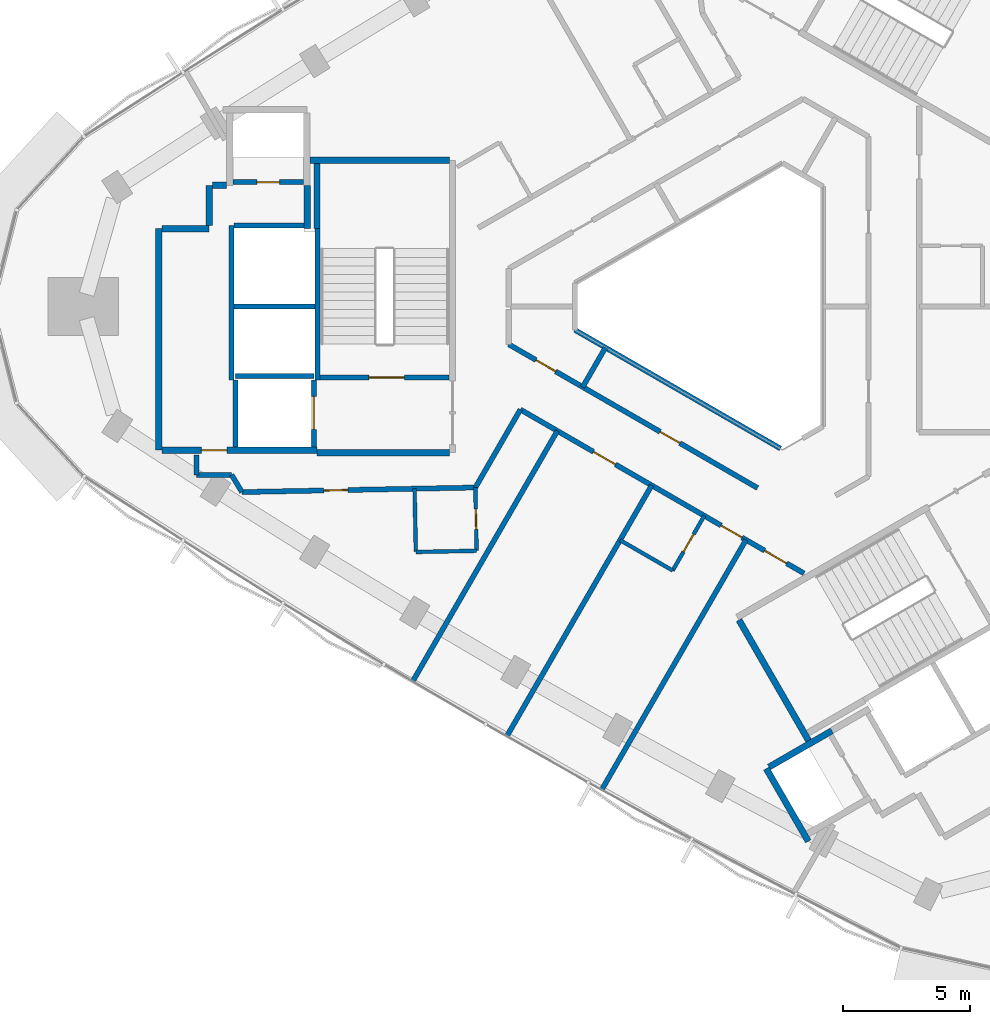
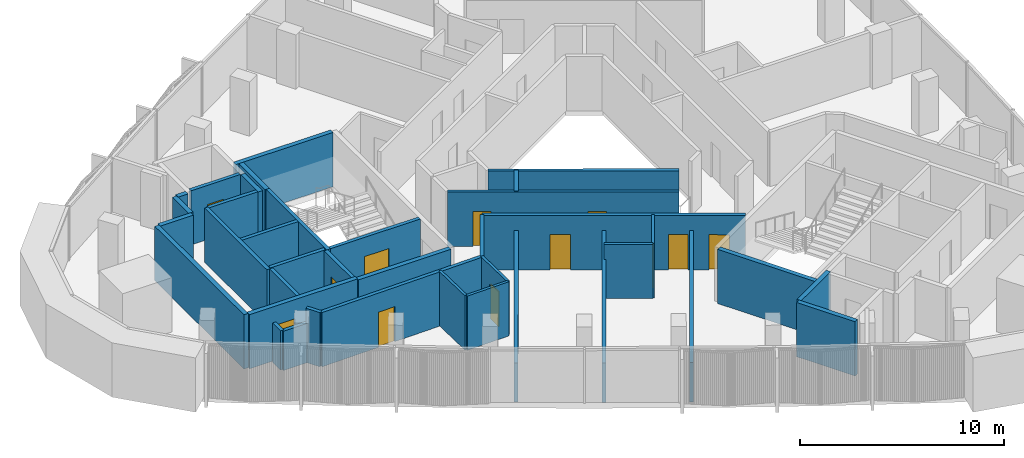
# One storey, part 8 of 16: 38 walls, 12 doors, 12 openings.
"""IFC4 building model written with IfcOpenShell, lengths in metres."""

from ifc_helpers import new_model, si_unit, direction, frame, frame_2d, origin, place, context, subcontext, project, spatial, rectangle, extrude, material, layer, layer_set, type_object, element, fill, save


model = new_model("IFC4")

# Units and contexts
model_context = context("Model", 3, precision=1e-05, world=origin(), true_north=direction((0.0, 1.0)))
body_context = subcontext(model_context, "Body", "Model", "MODEL_VIEW")
ifc_project = project(units=[si_unit("LENGTHUNIT", "METRE"), si_unit("AREAUNIT", "SQUARE_METRE"), si_unit("VOLUMEUNIT", "CUBIC_METRE"), si_unit("PLANEANGLEUNIT", "RADIAN"), si_unit("MASSUNIT", "GRAM", prefix="KILO")], contexts=[model_context])

# Site, building, storey
site_placement = place(None, origin())
site = spatial("IfcSite", under=ifc_project, at=site_placement, CompositionType="ELEMENT")
building_placement = place(site_placement, origin())
building = spatial("IfcBuilding", under=site, at=building_placement, Name="Tamra Quay Hotel Tower", CompositionType="ELEMENT")
storey_placement = place(building_placement, frame((0.0, 0.0, 239.39990234375)))
storey = spatial("IfcBuildingStorey", under=building, at=storey_placement, Name="L60", CompositionType="ELEMENT", Elevation=239.39990234375)

# Walls
ifc_material_1 = material(Name="Concrete M70", Category="concrete")
ifc_layer_1 = layer(ifc_material_1, 0.199951171875)
ifc_layer_set_1 = layer_set([ifc_layer_1], Name="Concrete M70 core wall 200")
wall_type_1 = type_object("IfcWallType", Name="Concrete M70 core wall 200", PredefinedType="SHEAR", material=ifc_layer_set_1)
wall_1_placement = place(storey_placement, frame((-16.162109375, 3.073974609375, 0.0), z_axis=(0.0, 0.0, 1.0), x_axis=(0.0, -1.0, 0.0)))
element("IfcWall", 1, at=wall_1_placement, inside=storey, type_object=wall_type_1, Name="CW2", PredefinedType="SHEAR", context=body_context, shape_type="SweptSolid", body=[
    extrude(rectangle(XDim=5.97412109375, YDim=0.199951171875, at=frame_2d((2.987060546875, 0.0))), origin(), (0.0, 0.0, 1.0), 3.25),
])
wall_2_placement = place(storey_placement, frame((-19.5625, -2.900146484375, 0.0), z_axis=(0.0, 0.0, 1.0), x_axis=(0.0, 1.0, 0.0)))
element("IfcWall", 2, at=wall_2_placement, inside=storey, type_object=wall_type_1, Name="CW2", PredefinedType="SHEAR", context=body_context, shape_type="SweptSolid", body=[
    extrude(rectangle(XDim=6.100341796875, YDim=0.199951171875, at=frame_2d((3.05029296875, 0.0))), origin(), (0.0, 0.0, 1.0), 3.25),
])

# Wall, opening, door
wall_3_placement = place(storey_placement, frame((-10.96337890625, -2.800048828125, 0.0), z_axis=(0.0, 0.0, 1.0), x_axis=(-1.0, 0.0, 0.0)))
wall_3 = element("IfcWall", 3, at=wall_3_placement, inside=storey, type_object=wall_type_1, Name="CW2", PredefinedType="SHEAR", context=body_context, shape_type="SweptSolid", body=[
    extrude(rectangle(XDim=5.097900390625, YDim=0.199951171875, at=frame_2d((2.548828125, 0.0))), origin(), (0.0, 0.0, 1.0), 3.25),
])
opening_1_placement = place(wall_3_placement, frame((1.77392578125, 0.0, 0.0)))
opening_1 = element("IfcOpeningElement", 4, at=opening_1_placement, cuts=wall_3, Name="Opening FD2", PredefinedType="OPENING", context=body_context, shape_type="SweptSolid", body=[
    extrude(rectangle(XDim=1.39990234375, YDim=2.10009765625, at=frame_2d((0.699951171875, 1.050048828125))), frame((0.0, 0.10986328125, 0.0), z_axis=(0.0, -1.0, 0.0), x_axis=(1.0, 0.0, 0.0)), (0.0, 0.0, 1.0), 0.219970703125),
])
ifc_material_2 = material(Name="Core door FD2 1400x2100 LH")
door_type_1 = type_object("IfcDoorType", Name="Core door FD2 1400x2100 LH", OperationType="NOTDEFINED", PredefinedType="DOOR", material=ifc_material_2)
door_1_placement = place(opening_1_placement, origin())
door_1 = element("IfcDoor", 5, at=door_1_placement, inside=storey, type_object=door_type_1, Name="FD2", OperationType="SINGLE_SWING_LEFT", OverallHeight=2.10009765625, OverallWidth=1.39990234375, PredefinedType="DOOR", context=body_context, shape_type="SweptSolid", body=[
    extrude(rectangle(XDim=1.39990234375, YDim=2.10009765625, at=frame_2d((0.699951171875, 1.050048828125))), frame((0.0, 0.02490234375, 0.0), z_axis=(0.0, -1.0, 0.0), x_axis=(1.0, 0.0, 0.0)), (0.0, 0.0, 1.0), 0.050048828125),
])
fill(opening_1, door_1)

# Wall
wall_4_placement = place(storey_placement, frame((-16.26318359375, 0.0, 0.0), z_axis=(0.0, 0.0, 1.0), x_axis=(-1.0, 0.0, 0.0)))
element("IfcWall", 6, at=wall_4_placement, inside=storey, type_object=wall_type_1, Name="CW2", PredefinedType="SHEAR", context=body_context, shape_type="SweptSolid", body=[
    extrude(rectangle(XDim=3.1982421875, YDim=0.199951171875, at=frame_2d((1.59912109375, 0.0))), origin(), (0.0, 0.0, 1.0), 3.25),
])

# Wall, opening, door
wall_5_placement = place(storey_placement, frame((-19.51123046875, 4.91015625, 0.0), z_axis=(0.0, 0.0, 1.0), x_axis=(1.0, 0.0, 0.0)))
wall_5 = element("IfcWall", 7, at=wall_5_placement, inside=storey, type_object=wall_type_1, Name="CW2", PredefinedType="SHEAR", context=body_context, shape_type="SweptSolid", body=[
    extrude(rectangle(XDim=2.7978515625, YDim=0.199951171875, at=frame_2d((1.39892578125, 0.0))), origin(), (0.0, 0.0, 1.0), 3.25),
])
opening_2_placement = place(wall_5_placement, frame((0.948974609375, 0.0, 0.0)))
opening_2 = element("IfcOpeningElement", 8, at=opening_2_placement, cuts=wall_5, Name="Opening D1", PredefinedType="OPENING", context=body_context, shape_type="SweptSolid", body=[
    extrude(rectangle(XDim=0.89990234375, YDim=2.10009765625, at=frame_2d((0.449951171875, 1.050048828125))), frame((0.0, 0.10986328125, 0.0), z_axis=(0.0, -1.0, 0.0), x_axis=(1.0, 0.0, 0.0)), (0.0, 0.0, 1.0), 0.219970703125),
])
ifc_material_3 = material(Name="Core door D1 900x2100 RH")
door_type_2 = type_object("IfcDoorType", Name="Core door D1 900x2100 RH", OperationType="NOTDEFINED", PredefinedType="DOOR", material=ifc_material_3)
door_2_placement = place(opening_2_placement, origin())
door_2 = element("IfcDoor", 9, at=door_2_placement, inside=storey, type_object=door_type_2, Name="D1", OperationType="SINGLE_SWING_RIGHT", OverallHeight=2.10009765625, OverallWidth=0.89990234375, PredefinedType="DOOR", context=body_context, shape_type="SweptSolid", body=[
    extrude(rectangle(XDim=0.89990234375, YDim=2.10009765625, at=frame_2d((0.449951171875, 1.050048828125))), frame((0.0, 0.02490234375, 0.0), z_axis=(0.0, -1.0, 0.0), x_axis=(1.0, 0.0, 0.0)), (0.0, 0.0, 1.0), 0.050048828125),
])
fill(opening_2, door_2)

# Walls
wall_6_placement = place(storey_placement, frame((-19.46240234375, 3.2001953125, 0.0), z_axis=(0.0, 0.0, 1.0), x_axis=(1.0, 0.0, 0.0)))
element("IfcWall", 10, at=wall_6_placement, inside=storey, type_object=wall_type_1, Name="CW2", PredefinedType="SHEAR", context=body_context, shape_type="SweptSolid", body=[
    extrude(rectangle(XDim=2.759033203125, YDim=0.199951171875, at=frame_2d((1.37939453125, 0.0))), origin(), (0.0, 0.0, 1.0), 3.25),
])
wall_7_placement = place(storey_placement, frame((-19.412353515625, -2.75, 0.0), z_axis=(0.0, 0.0, 1.0), x_axis=(1.0, 0.0, 0.0)))
element("IfcWall", 11, at=wall_7_placement, inside=storey, type_object=wall_type_1, Name="CW2", PredefinedType="SHEAR", context=body_context, shape_type="SweptSolid", body=[
    extrude(rectangle(XDim=3.10009765625, YDim=0.199951171875, at=frame_2d((1.550048828125, 0.0))), origin(), (0.0, 0.0, 1.0), 3.25),
])

# Wall, opening, door
wall_8_placement = place(storey_placement, frame((-16.312255859375, -2.898193359375, 0.0), z_axis=(0.0, 0.0, 1.0), x_axis=(0.0, -1.0, 0.0)))
wall_8 = element("IfcWall", 12, at=wall_8_placement, inside=storey, type_object=wall_type_1, Name="CW2", PredefinedType="SHEAR", context=body_context, shape_type="SweptSolid", body=[
    extrude(rectangle(XDim=2.65087890625, YDim=0.199951171875, at=frame_2d((1.325439453125, 0.0))), origin(), (0.0, 0.0, 1.0), 3.25),
])
opening_3_placement = place(wall_8_placement, frame((0.65185546875, 0.0, 0.0)))
opening_3 = element("IfcOpeningElement", 13, at=opening_3_placement, cuts=wall_8, Name="Opening LD", PredefinedType="OPENING", context=body_context, shape_type="SweptSolid", body=[
    extrude(rectangle(XDim=1.300048828125, YDim=2.10009765625, at=frame_2d((0.64990234375, 1.050048828125))), frame((0.0, 0.10986328125, 0.0), z_axis=(0.0, -1.0, 0.0), x_axis=(1.0, 0.0, 0.0)), (0.0, 0.0, 1.0), 0.219970703125),
])
ifc_material_4 = material(Name="Landing door LD 1300 sliding to left")
door_type_3 = type_object("IfcDoorType", Name="Landing door LD 1300 sliding to left", OperationType="NOTDEFINED", PredefinedType="DOOR", material=ifc_material_4)
door_3_placement = place(opening_3_placement, origin())
door_3 = element("IfcDoor", 14, at=door_3_placement, inside=storey, type_object=door_type_3, Name="LD", OperationType="SLIDING_TO_LEFT", OverallHeight=2.10009765625, OverallWidth=1.300048828125, PredefinedType="DOOR", context=body_context, shape_type="SweptSolid", body=[
    extrude(rectangle(XDim=1.300048828125, YDim=2.10009765625, at=frame_2d((0.64990234375, 1.050048828125))), frame((0.0, 0.02490234375, 0.0), z_axis=(0.0, -1.0, 0.0), x_axis=(1.0, 0.0, 0.0)), (0.0, 0.0, 1.0), 0.050048828125),
])
fill(opening_3, door_3)

# Walls
wall_9_placement = place(storey_placement, frame((-19.412353515625, -5.549072265625, 0.0), z_axis=(0.0, 0.0, 1.0), x_axis=(0.0, 1.0, 0.0)))
element("IfcWall", 15, at=wall_9_placement, inside=storey, type_object=wall_type_1, Name="CW2", PredefinedType="SHEAR", context=body_context, shape_type="SweptSolid", body=[
    extrude(rectangle(XDim=2.65087890625, YDim=0.199951171875, at=frame_2d((1.325439453125, 0.0))), origin(), (0.0, 0.0, 1.0), 3.25),
])
ifc_layer_2 = layer(ifc_material_1, 0.25)
ifc_layer_set_2 = layer_set([ifc_layer_2], Name="Concrete M70 core wall 250")
wall_type_2 = type_object("IfcWallType", Name="Concrete M70 core wall 250", PredefinedType="SHEAR", material=ifc_layer_set_2)
wall_10_placement = place(storey_placement, frame((-22.437255859375, -5.675048828125, 0.0), z_axis=(0.0, 0.0, 1.0), x_axis=(0.0, 1.0, 0.0)))
element("IfcWall", 16, at=wall_10_placement, inside=storey, type_object=wall_type_2, Name="CW1", PredefinedType="SHEAR", context=body_context, shape_type="SweptSolid", body=[
    extrude(rectangle(XDim=8.75, YDim=0.25, at=frame_2d((4.375, 0.0))), origin(), (0.0, 0.0, 1.0), 3.25),
])

# Wall, opening, door
wall_11_placement = place(storey_placement, frame((-16.187255859375, -5.675048828125, 0.0), z_axis=(0.0, 0.0, 1.0), x_axis=(-1.0, 0.0, 0.0)))
wall_11 = element("IfcWall", 17, at=wall_11_placement, inside=storey, type_object=wall_type_2, Name="CW1", PredefinedType="SHEAR", context=body_context, shape_type="SweptSolid", body=[
    extrude(rectangle(XDim=6.12451171875, YDim=0.25, at=frame_2d((3.062255859375, 0.0))), origin(), (0.0, 0.0, 1.0), 3.25),
])
opening_4_placement = place(wall_11_placement, frame((3.562744140625, 0.0, 0.0)))
opening_4 = element("IfcOpeningElement", 18, at=opening_4_placement, cuts=wall_11, Name="Opening FD3", PredefinedType="OPENING", context=body_context, shape_type="SweptSolid", body=[
    extrude(rectangle(XDim=1.0, YDim=2.10009765625, at=frame_2d((0.5, 1.050048828125))), frame((0.0, 0.135009765625, 0.0), z_axis=(0.0, -1.0, 0.0), x_axis=(1.0, 0.0, 0.0)), (0.0, 0.0, 1.0), 0.27001953125),
])
ifc_material_5 = material(Name="Core door FD3 1000x2100 LH")
door_type_4 = type_object("IfcDoorType", Name="Core door FD3 1000x2100 LH", OperationType="NOTDEFINED", PredefinedType="DOOR", material=ifc_material_5)
door_4_placement = place(opening_4_placement, origin())
door_4 = element("IfcDoor", 19, at=door_4_placement, inside=storey, type_object=door_type_4, Name="FD3", OperationType="SINGLE_SWING_LEFT", OverallHeight=2.10009765625, OverallWidth=1.0, PredefinedType="DOOR", context=body_context, shape_type="SweptSolid", body=[
    extrude(rectangle(XDim=1.0, YDim=2.10009765625, at=frame_2d((0.5, 1.050048828125))), frame((0.0, 0.02490234375, 0.0), z_axis=(0.0, -1.0, 0.0), x_axis=(1.0, 0.0, 0.0)), (0.0, 0.0, 1.0), 0.050048828125),
])
fill(opening_4, door_4)

# Walls
wall_12_placement = place(storey_placement, frame((-10.962646484375, -5.77490234375, 0.0), z_axis=(0.0, 0.0, 1.0), x_axis=(-1.0, 0.0, 0.0)))
element("IfcWall", 20, at=wall_12_placement, inside=storey, type_object=wall_type_2, Name="CW1", PredefinedType="SHEAR", context=body_context, shape_type="SweptSolid", body=[
    extrude(rectangle(XDim=5.224609375, YDim=0.25, at=frame_2d((2.6123046875, 0.0))), origin(), (0.0, 0.0, 1.0), 3.25),
])
wall_13_placement = place(storey_placement, frame((-16.47216796875, 5.77490234375, 0.0), z_axis=(0.0, 0.0, 1.0), x_axis=(1.0, 0.0, 0.0)))
element("IfcWall", 21, at=wall_13_placement, inside=storey, type_object=wall_type_2, Name="CW1", PredefinedType="SHEAR", context=body_context, shape_type="SweptSolid", body=[
    extrude(rectangle(XDim=5.509521484375, YDim=0.25, at=frame_2d((2.7548828125, 0.0))), origin(), (0.0, 0.0, 1.0), 3.25),
])
wall_14_placement = place(storey_placement, frame((-16.187255859375, 3.074951171875, 0.0), z_axis=(0.0, 0.0, 1.0), x_axis=(0.0, 1.0, 0.0)))
element("IfcWall", 22, at=wall_14_placement, inside=storey, type_object=wall_type_2, Name="CW1", PredefinedType="SHEAR", context=body_context, shape_type="SweptSolid", body=[
    extrude(rectangle(XDim=2.57470703125, YDim=0.25, at=frame_2d((1.287353515625, 0.0))), origin(), (0.0, 0.0, 1.0), 3.25),
])
wall_15_placement = place(storey_placement, frame((-22.311767578125, 3.074951171875, 0.0), z_axis=(0.0, 0.0, 1.0), x_axis=(1.0, 0.0, 0.0)))
element("IfcWall", 23, at=wall_15_placement, inside=storey, type_object=wall_type_2, Name="CW1", PredefinedType="SHEAR", context=body_context, shape_type="SweptSolid", body=[
    extrude(rectangle(XDim=1.864501953125, YDim=0.25, at=frame_2d((0.93212890625, 0.0))), origin(), (0.0, 0.0, 1.0), 3.25),
])
wall_16_placement = place(storey_placement, frame((-16.577392578125, 4.784912109375, 0.0), z_axis=(0.0, 0.0, 1.0), x_axis=(0.0, -1.0, 0.0)))
element("IfcWall", 24, at=wall_16_placement, inside=storey, type_object=wall_type_2, Name="CW1", PredefinedType="SHEAR", context=body_context, shape_type="SweptSolid", body=[
    extrude(rectangle(XDim=1.7099609375, YDim=0.25, at=frame_2d((0.85498046875, 0.0))), origin(), (0.0, 0.0, 1.0), 3.25),
])
wall_17_placement = place(storey_placement, frame((-20.447265625, 3.200439453125, 0.0), z_axis=(0.0, 0.0, 1.0), x_axis=(0.0, 1.0, 0.0)))
element("IfcWall", 25, at=wall_17_placement, inside=storey, type_object=wall_type_2, Name="CW1", PredefinedType="SHEAR", context=body_context, shape_type="SweptSolid", body=[
    extrude(rectangle(XDim=1.58447265625, YDim=0.25, at=frame_2d((0.792236328125, 0.0))), origin(), (0.0, 0.0, 1.0), 3.25),
])
wall_18_placement = place(storey_placement, frame((-20.32177734375, 4.784912109375, 0.0), z_axis=(0.0, 0.0, 1.0), x_axis=(1.0, 0.0, 0.0)))
element("IfcWall", 26, at=wall_18_placement, inside=storey, type_object=wall_type_2, Name="CW1", PredefinedType="SHEAR", context=body_context, shape_type="SweptSolid", body=[
    extrude(rectangle(XDim=0.55908203125, YDim=0.25, at=frame_2d((0.279541015625, 0.0))), origin(), (0.0, 0.0, 1.0), 3.25),
])
wall_19_placement = place(storey_placement, frame((3.23486328125, -17.15283203125, 0.0), z_axis=(0.0, 0.0, 1.0), x_axis=(-0.500008851346, 0.866020293397, 0.0)))
element("IfcWall", 27, at=wall_19_placement, inside=storey, type_object=wall_type_2, Name="CW1", PredefinedType="SHEAR", context=body_context, shape_type="SweptSolid", body=[
    extrude(rectangle(XDim=5.509765625, YDim=0.25, at=frame_2d((2.7548828125, 0.0))), origin(), (0.0, 0.0, 1.0), 3.25),
])
wall_20_placement = place(storey_placement, frame((3.216796875, -21.12158203125, 0.0), z_axis=(0.0, 0.0, 1.0), x_axis=(-0.499998874531, 0.866026053573, 0.0)))
element("IfcWall", 28, at=wall_20_placement, inside=storey, type_object=wall_type_2, Name="CW1", PredefinedType="SHEAR", context=body_context, shape_type="SweptSolid", body=[
    extrude(rectangle(XDim=3.31298828125, YDim=0.25, at=frame_2d((1.656494140625, 0.0))), origin(), (0.0, 0.0, 1.0), 3.25),
])
wall_21_placement = place(storey_placement, frame((1.6689453125, -18.189697265625, 0.0), z_axis=(0.0, 0.0, 1.0), x_axis=(0.866042235819, 0.499970844928, 0.0)))
element("IfcWall", 29, at=wall_21_placement, inside=storey, type_object=wall_type_2, Name="CW1", PredefinedType="SHEAR", context=body_context, shape_type="SweptSolid", body=[
    extrude(rectangle(XDim=2.864501953125, YDim=0.25, at=frame_2d((1.43212890625, 0.0))), origin(), (0.0, 0.0, 1.0), 3.25),
])
ifc_material_6 = material(Name="Partition corridor wall")
ifc_layer_3 = layer(ifc_material_6, 0.199951171875)
ifc_layer_set_3 = layer_set([ifc_layer_3], Name="Partition corridor wall")
wall_type_3 = type_object("IfcWallType", Name="Partition corridor wall", PredefinedType="PARTITIONING", material=ifc_layer_set_3)
wall_22_placement = place(storey_placement, frame((-20.949951171875, -6.64990234375, 0.0), z_axis=(0.0, 0.0, 1.0), x_axis=(0.0, 1.0, 0.0)))
element("IfcWall", 30, at=wall_22_placement, inside=storey, type_object=wall_type_3, Name="W-C", PredefinedType="PARTITIONING", context=body_context, shape_type="SweptSolid", body=[
    extrude(rectangle(XDim=0.789794921875, YDim=0.199951171875, at=frame_2d((0.39501953125, 0.0))), origin(), (0.0, 0.0, 1.0), 2.35009765625),
])
wall_23_placement = place(storey_placement, frame((-20.949951171875, -6.64990234375, 0.0), z_axis=(0.0, 0.0, 1.0), x_axis=(1.0, 0.0, 0.0)))
element("IfcWall", 31, at=wall_23_placement, inside=storey, type_object=wall_type_3, Name="W-C", PredefinedType="PARTITIONING", context=body_context, shape_type="SweptSolid", body=[
    extrude(rectangle(XDim=1.389892578125, YDim=0.199951171875, at=frame_2d((0.69482421875, 0.0))), origin(), (0.0, 0.0, 1.0), 2.35009765625),
])
wall_24_placement = place(storey_placement, frame((-19.56005859375, -6.64990234375, 0.0), z_axis=(0.0, 0.0, 1.0), x_axis=(0.517618709346, -0.855611402294, 0.0)))
element("IfcWall", 32, at=wall_24_placement, inside=storey, type_object=wall_type_3, Name="W-C", PredefinedType="PARTITIONING", context=body_context, shape_type="SweptSolid", body=[
    extrude(rectangle(XDim=0.79248046875, YDim=0.199951171875, at=frame_2d((0.396240234375, 0.0))), origin(), (0.0, 0.0, 1.0), 3.25),
])

# Wall, opening, door
wall_25_placement = place(storey_placement, frame((-19.14892578125, -7.3291015625, 0.0), z_axis=(0.0, 0.0, 1.0), x_axis=(0.999810023919, 0.019491435849, 0.0)))
wall_25 = element("IfcWall", 33, at=wall_25_placement, inside=storey, type_object=wall_type_3, Name="W-C", PredefinedType="PARTITIONING", context=body_context, shape_type="SweptSolid", body=[
    extrude(rectangle(XDim=9.21875, YDim=0.199951171875, at=frame_2d((4.609375, 0.0))), origin(), (0.0, 0.0, 1.0), 3.25),
])
opening_5_placement = place(wall_25_placement, frame((3.230224609375, 0.0, 0.0)))
opening_5 = element("IfcOpeningElement", 34, at=opening_5_placement, cuts=wall_25, Name="Opening L60-D007", PredefinedType="OPENING", context=body_context, shape_type="SweptSolid", body=[
    extrude(rectangle(XDim=0.949951171875, YDim=2.10009765625, at=frame_2d((0.47509765625, 1.050048828125))), frame((0.0, 0.10986328125, 0.0), z_axis=(0.0, -1.0, 0.0), x_axis=(1.0, 0.0, 0.0)), (0.0, 0.0, 1.0), 0.219970703125),
])
ifc_material_7 = material(Name="Door guest room 950x2100")
door_type_5 = type_object("IfcDoorType", Name="Door guest room 950x2100", OperationType="NOTDEFINED", PredefinedType="DOOR", material=ifc_material_7)
door_5_placement = place(opening_5_placement, origin())
door_5 = element("IfcDoor", 35, at=door_5_placement, inside=storey, type_object=door_type_5, Name="L60-D007", OperationType="SINGLE_SWING_LEFT", OverallHeight=2.10009765625, OverallWidth=0.949951171875, PredefinedType="DOOR", context=body_context, shape_type="SweptSolid", body=[
    extrude(rectangle(XDim=0.949951171875, YDim=2.10009765625, at=frame_2d((0.47509765625, 1.050048828125))), frame((0.0, 0.02490234375, 0.0), z_axis=(0.0, -1.0, 0.0), x_axis=(1.0, 0.0, 0.0)), (0.0, 0.0, 1.0), 0.050048828125),
])
fill(opening_5, door_5)

# Wall
wall_26_placement = place(storey_placement, frame((-9.930908203125, -7.14892578125, 0.0), z_axis=(0.0, 0.0, 1.0), x_axis=(0.499934418432, 0.86606326401, 0.0)))
element("IfcWall", 36, at=wall_26_placement, inside=storey, type_object=wall_type_3, Name="W-C", PredefinedType="PARTITIONING", context=body_context, shape_type="SweptSolid", body=[
    extrude(rectangle(XDim=3.55615234375, YDim=0.199951171875, at=frame_2d((1.778076171875, 0.0))), origin(), (0.0, 0.0, 1.0), 3.25),
])

# Wall, openings, doors
wall_27_placement = place(storey_placement, frame((-8.612060546875, -1.493896484375, 0.0), z_axis=(0.0, 0.0, 1.0), x_axis=(0.866035468681, -0.499982566683, 0.0)))
wall_27 = element("IfcWall", 37, at=wall_27_placement, inside=storey, type_object=wall_type_3, Name="W-C", PredefinedType="PARTITIONING", context=body_context, shape_type="SweptSolid", body=[
    extrude(rectangle(XDim=11.34765625, YDim=0.199951171875, at=frame_2d((5.673828125, 0.0))), origin(), (0.0, 0.0, 1.0), 3.25),
])
opening_6_placement = place(wall_27_placement, frame((1.240966796875, 0.0, 0.0)))
opening_6 = element("IfcOpeningElement", 38, at=opening_6_placement, cuts=wall_27, Name="Opening L60-D021", PredefinedType="OPENING", context=body_context, shape_type="SweptSolid", body=[
    extrude(rectangle(XDim=0.89990234375, YDim=2.10009765625, at=frame_2d((0.449951171875, 1.050048828125))), frame((0.0, 0.10986328125, 0.0), z_axis=(0.0, -1.0, 0.0), x_axis=(1.0, 0.0, 0.0)), (0.0, 0.0, 1.0), 0.219970703125),
])
opening_7_placement = place(wall_27_placement, frame((6.903076171875, 0.0, 0.0)))
opening_7 = element("IfcOpeningElement", 39, at=opening_7_placement, cuts=wall_27, Name="Opening L60-D022", PredefinedType="OPENING", context=body_context, shape_type="SweptSolid", body=[
    extrude(rectangle(XDim=0.89990234375, YDim=2.10009765625, at=frame_2d((0.449951171875, 1.050048828125))), frame((0.0, 0.10986328125, 0.0), z_axis=(0.0, -1.0, 0.0), x_axis=(1.0, 0.0, 0.0)), (0.0, 0.0, 1.0), 0.219970703125),
])
ifc_material_8 = material(Name="Door service room 900x2100")
door_type_6 = type_object("IfcDoorType", Name="Door service room 900x2100", OperationType="NOTDEFINED", PredefinedType="DOOR", material=ifc_material_8)
door_6_placement = place(opening_6_placement, origin())
door_6 = element("IfcDoor", 40, at=door_6_placement, inside=storey, type_object=door_type_6, Name="L60-D021", OperationType="SINGLE_SWING_LEFT", OverallHeight=2.10009765625, OverallWidth=0.89990234375, PredefinedType="DOOR", context=body_context, shape_type="SweptSolid", body=[
    extrude(rectangle(XDim=0.89990234375, YDim=2.10009765625, at=frame_2d((0.449951171875, 1.050048828125))), frame((0.0, 0.02490234375, 0.0), z_axis=(0.0, -1.0, 0.0), x_axis=(1.0, 0.0, 0.0)), (0.0, 0.0, 1.0), 0.050048828125),
])
fill(opening_6, door_6)
door_7_placement = place(opening_7_placement, origin())
door_7 = element("IfcDoor", 41, at=door_7_placement, inside=storey, type_object=door_type_6, Name="L60-D022", OperationType="SINGLE_SWING_LEFT", OverallHeight=2.10009765625, OverallWidth=0.89990234375, PredefinedType="DOOR", context=body_context, shape_type="SweptSolid", body=[
    extrude(rectangle(XDim=0.89990234375, YDim=2.10009765625, at=frame_2d((0.449951171875, 1.050048828125))), frame((0.0, 0.02490234375, 0.0), z_axis=(0.0, -1.0, 0.0), x_axis=(1.0, 0.0, 0.0)), (0.0, 0.0, 1.0), 0.050048828125),
])
fill(opening_7, door_7)

wall_28_placement = place(storey_placement, frame((-8.153076171875, -4.069091796875, 0.0), z_axis=(0.0, 0.0, 1.0), x_axis=(0.865955522833, -0.500121017829, 0.0)))
wall_28 = element("IfcWall", 42, at=wall_28_placement, inside=storey, type_object=wall_type_3, Name="W-C", PredefinedType="PARTITIONING", context=body_context, shape_type="SweptSolid", body=[
    extrude(rectangle(XDim=12.937255859375, YDim=0.199951171875, at=frame_2d((6.46875, 0.0))), origin(), (0.0, 0.0, 1.0), 3.25),
])
opening_8_placement = place(wall_28_placement, frame((3.337158203125, 0.0, 0.0)))
opening_8 = element("IfcOpeningElement", 43, at=opening_8_placement, cuts=wall_28, Name="Opening L60-D009", PredefinedType="OPENING", context=body_context, shape_type="SweptSolid", body=[
    extrude(rectangle(XDim=1.0, YDim=2.10009765625, at=frame_2d((0.5, 1.050048828125))), frame((0.0, 0.10986328125, 0.0), z_axis=(0.0, -1.0, 0.0), x_axis=(1.0, 0.0, 0.0)), (0.0, 0.0, 1.0), 0.219970703125),
])
opening_9_placement = place(wall_28_placement, frame((9.153076171875, 0.0, 0.0)))
opening_9 = element("IfcOpeningElement", 44, at=opening_9_placement, cuts=wall_28, Name="Opening L60-D010", PredefinedType="OPENING", context=body_context, shape_type="SweptSolid", body=[
    extrude(rectangle(XDim=0.949951171875, YDim=2.10009765625, at=frame_2d((0.47509765625, 1.050048828125))), frame((0.0, 0.10986328125, 0.0), z_axis=(0.0, -1.0, 0.0), x_axis=(1.0, 0.0, 0.0)), (0.0, 0.0, 1.0), 0.219970703125),
])
opening_10_placement = place(wall_28_placement, frame((11.1435546875, 0.0, 0.0)))
opening_10 = element("IfcOpeningElement", 45, at=opening_10_placement, cuts=wall_28, Name="Opening L60-D012", PredefinedType="OPENING", context=body_context, shape_type="SweptSolid", body=[
    extrude(rectangle(XDim=1.0, YDim=2.10009765625, at=frame_2d((0.5, 1.050048828125))), frame((0.0, 0.10986328125, 0.0), z_axis=(0.0, -1.0, 0.0), x_axis=(1.0, 0.0, 0.0)), (0.0, 0.0, 1.0), 0.219970703125),
])
ifc_material_9 = material(Name="Door guest room 1000x2100")
door_type_7 = type_object("IfcDoorType", Name="Door guest room 1000x2100", OperationType="NOTDEFINED", PredefinedType="DOOR", material=ifc_material_9)
door_8_placement = place(opening_8_placement, frame((1.0, 0.0, 0.0), z_axis=(0.0, 0.0, 1.0), x_axis=(-1.0, 0.0, 0.0)))
door_8 = element("IfcDoor", 46, at=door_8_placement, inside=storey, type_object=door_type_7, Name="L60-D009", OperationType="SINGLE_SWING_LEFT", OverallHeight=2.10009765625, OverallWidth=1.0, PredefinedType="DOOR", context=body_context, shape_type="SweptSolid", body=[
    extrude(rectangle(XDim=1.0, YDim=2.10009765625, at=frame_2d((0.5, 1.050048828125))), frame((0.0, 0.02490234375, 0.0), z_axis=(0.0, -1.0, 0.0), x_axis=(1.0, 0.0, 0.0)), (0.0, 0.0, 1.0), 0.050048828125),
])
fill(opening_8, door_8)
door_9_placement = place(opening_10_placement, frame((1.0, 0.0, 0.0), z_axis=(0.0, 0.0, 1.0), x_axis=(-1.0, 0.0, 0.0)))
door_9 = element("IfcDoor", 47, at=door_9_placement, inside=storey, type_object=door_type_7, Name="L60-D012", OperationType="SINGLE_SWING_LEFT", OverallHeight=2.10009765625, OverallWidth=1.0, PredefinedType="DOOR", context=body_context, shape_type="SweptSolid", body=[
    extrude(rectangle(XDim=1.0, YDim=2.10009765625, at=frame_2d((0.5, 1.050048828125))), frame((0.0, 0.02490234375, 0.0), z_axis=(0.0, -1.0, 0.0), x_axis=(1.0, 0.0, 0.0)), (0.0, 0.0, 1.0), 0.050048828125),
])
fill(opening_10, door_9)
door_10_placement = place(opening_9_placement, frame((0.949951171875, 0.0, 0.0), z_axis=(0.0, 0.0, 1.0), x_axis=(-1.0, 0.0, 0.0)))
door_10 = element("IfcDoor", 48, at=door_10_placement, inside=storey, type_object=door_type_5, Name="L60-D010", OperationType="SINGLE_SWING_LEFT", OverallHeight=2.10009765625, OverallWidth=0.949951171875, PredefinedType="DOOR", context=body_context, shape_type="SweptSolid", body=[
    extrude(rectangle(XDim=0.949951171875, YDim=2.10009765625, at=frame_2d((0.47509765625, 1.050048828125))), frame((0.0, 0.02490234375, 0.0), z_axis=(0.0, -1.0, 0.0), x_axis=(1.0, 0.0, 0.0)), (0.0, 0.0, 1.0), 0.050048828125),
])
fill(opening_9, door_10)

# Walls
ifc_material_10 = material(Name="Partition en-suite wall")
ifc_layer_4 = layer(ifc_material_10, 0.14990234375)
ifc_layer_set_4 = layer_set([ifc_layer_4], Name="Partition en-suite wall")
wall_type_4 = type_object("IfcWallType", Name="Partition en-suite wall", PredefinedType="PARTITIONING", material=ifc_layer_set_4)
wall_29_placement = place(storey_placement, frame((-12.33203125, -7.197021484375, 0.0), z_axis=(0.0, 0.0, 1.0), x_axis=(0.019719450113, -0.999805552739, 0.0)))
element("IfcWall", 49, at=wall_29_placement, inside=storey, type_object=wall_type_4, Name="W-E", PredefinedType="PARTITIONING", context=body_context, shape_type="SweptSolid", body=[
    extrude(rectangle(XDim=2.488525390625, YDim=0.14990234375, at=frame_2d((1.244140625, 0.0))), origin(), (0.0, 0.0, 1.0), 3.25),
])
wall_30_placement = place(storey_placement, frame((-12.27294921875, -9.695068359375, 0.0), z_axis=(0.0, 0.0, 1.0), x_axis=(0.999812094216, 0.019384949303, 0.0)))
element("IfcWall", 50, at=wall_30_placement, inside=storey, type_object=wall_type_4, Name="W-E", PredefinedType="PARTITIONING", context=body_context, shape_type="SweptSolid", body=[
    extrude(rectangle(XDim=2.38037109375, YDim=0.14990234375, at=frame_2d((1.190185546875, 0.0))), origin(), (0.0, 0.0, 1.0), 3.25),
])

# Wall, opening, door
wall_31_placement = place(storey_placement, frame((-9.931884765625, -7.15087890625, 0.0), z_axis=(0.0, 0.0, 1.0), x_axis=(0.019621381261, -0.999807482167, 0.0)))
wall_31 = element("IfcWall", 51, at=wall_31_placement, inside=storey, type_object=wall_type_4, Name="W-E", PredefinedType="PARTITIONING", context=body_context, shape_type="SweptSolid", body=[
    extrude(rectangle(XDim=2.488525390625, YDim=0.14990234375, at=frame_2d((1.244140625, 0.0))), origin(), (0.0, 0.0, 1.0), 3.25),
])
opening_11_placement = place(wall_31_placement, frame((0.847900390625, 0.0, 0.0)))
opening_11 = element("IfcOpeningElement", 52, at=opening_11_placement, cuts=wall_31, Name="Opening L60-D008", PredefinedType="OPENING", context=body_context, shape_type="SweptSolid", body=[
    extrude(rectangle(XDim=0.800048828125, YDim=2.10009765625, at=frame_2d((0.39990234375, 1.050048828125))), frame((0.0, 0.0849609375, 0.0), z_axis=(0.0, -1.0, 0.0), x_axis=(1.0, 0.0, 0.0)), (0.0, 0.0, 1.0), 0.169921875),
])
ifc_material_11 = material(Name="Door en-suite 800x2100")
door_type_8 = type_object("IfcDoorType", Name="Door en-suite 800x2100", OperationType="NOTDEFINED", PredefinedType="DOOR", material=ifc_material_11)
door_11_placement = place(opening_11_placement, frame((0.800048828125, 0.0, 0.0), z_axis=(0.0, 0.0, 1.0), x_axis=(-1.0, 0.0, 0.0)))
door_11 = element("IfcDoor", 53, at=door_11_placement, inside=storey, type_object=door_type_8, Name="L60-D008", OperationType="SINGLE_SWING_LEFT", OverallHeight=2.10009765625, OverallWidth=0.800048828125, PredefinedType="DOOR", context=body_context, shape_type="SweptSolid", body=[
    extrude(rectangle(XDim=0.800048828125, YDim=2.10009765625, at=frame_2d((0.39990234375, 1.050048828125))), frame((0.0, 0.02490234375, 0.0), z_axis=(0.0, -1.0, 0.0), x_axis=(1.0, 0.0, 0.0)), (0.0, 0.0, 1.0), 0.050048828125),
])
fill(opening_11, door_11)

# Wall
wall_32_placement = place(storey_placement, frame((-4.217041015625, -9.22802734375, 0.0), z_axis=(0.0, 0.0, 1.0), x_axis=(0.866100915363, -0.499869187296, 0.0)))
element("IfcWall", 54, at=wall_32_placement, inside=storey, type_object=wall_type_4, Name="W-E", PredefinedType="PARTITIONING", context=body_context, shape_type="SweptSolid", body=[
    extrude(rectangle(XDim=2.400634765625, YDim=0.14990234375, at=frame_2d((1.2001953125, 0.0))), origin(), (0.0, 0.0, 1.0), 3.25),
])

# Wall, opening, door
wall_33_placement = place(storey_placement, frame((-2.137939453125, -10.427978515625, 0.0), z_axis=(0.0, 0.0, 1.0), x_axis=(0.500004234368, 0.866022959057, 0.0)))
wall_33 = element("IfcWall", 55, at=wall_33_placement, inside=storey, type_object=wall_type_4, Name="W-E", PredefinedType="PARTITIONING", context=body_context, shape_type="SweptSolid", body=[
    extrude(rectangle(XDim=2.5, YDim=0.14990234375, at=frame_2d((1.25, 0.0))), origin(), (0.0, 0.0, 1.0), 3.25),
])
opening_12_placement = place(wall_33_placement, frame((0.85009765625, 0.0, 0.0)))
opening_12 = element("IfcOpeningElement", 56, at=opening_12_placement, cuts=wall_33, Name="Opening L60-D011", PredefinedType="OPENING", context=body_context, shape_type="SweptSolid", body=[
    extrude(rectangle(XDim=0.800048828125, YDim=2.10009765625, at=frame_2d((0.39990234375, 1.050048828125))), frame((0.0, 0.0849609375, 0.0), z_axis=(0.0, -1.0, 0.0), x_axis=(1.0, 0.0, 0.0)), (0.0, 0.0, 1.0), 0.169921875),
])
door_12_placement = place(opening_12_placement, origin())
door_12 = element("IfcDoor", 57, at=door_12_placement, inside=storey, type_object=door_type_8, Name="L60-D011", OperationType="SINGLE_SWING_LEFT", OverallHeight=2.10009765625, OverallWidth=0.800048828125, PredefinedType="DOOR", context=body_context, shape_type="SweptSolid", body=[
    extrude(rectangle(XDim=0.800048828125, YDim=2.10009765625, at=frame_2d((0.39990234375, 1.050048828125))), frame((0.0, 0.02490234375, 0.0), z_axis=(0.0, -1.0, 0.0), x_axis=(1.0, 0.0, 0.0)), (0.0, 0.0, 1.0), 0.050048828125),
])
fill(opening_12, door_12)

# Walls
ifc_material_12 = material(Name="Partition party wall")
ifc_layer_5 = layer(ifc_material_12, 0.199951171875)
ifc_layer_set_5 = layer_set([ifc_layer_5], Name="Partition party wall")
wall_type_5 = type_object("IfcWallType", Name="Partition party wall", PredefinedType="PARTITIONING", material=ifc_layer_set_5)
wall_34_placement = place(storey_placement, frame((-12.40673828125, -14.805908203125, 0.0), z_axis=(0.0, 0.0, 1.0), x_axis=(0.500104175471, 0.865965249693, 0.0)))
element("IfcWall", 58, at=wall_34_placement, inside=storey, type_object=wall_type_5, Name="W-P", PredefinedType="PARTITIONING", context=body_context, shape_type="SweptSolid", body=[
    extrude(rectangle(XDim=11.4228515625, YDim=0.199951171875, at=frame_2d((5.71142578125, 0.0))), origin(), (0.0, 0.0, 1.0), 2.35009765625),
])
wall_35_placement = place(storey_placement, frame((-8.6884765625, -16.97265625, 0.0), z_axis=(0.0, 0.0, 1.0), x_axis=(0.500021643343, 0.866012907634, 0.0)))
element("IfcWall", 59, at=wall_35_placement, inside=storey, type_object=wall_type_5, Name="W-P", PredefinedType="PARTITIONING", context=body_context, shape_type="SweptSolid", body=[
    extrude(rectangle(XDim=11.44287109375, YDim=0.199951171875, at=frame_2d((5.721435546875, 0.0))), origin(), (0.0, 0.0, 1.0), 2.35009765625),
])
wall_36_placement = place(storey_placement, frame((-6.0, -0.924072265625, 0.0), z_axis=(0.0, 0.0, 1.0), x_axis=(0.866223755075, -0.499656288007, 0.0)))
element("IfcWall", 60, at=wall_36_placement, inside=storey, type_object=wall_type_5, Name="W-P", PredefinedType="PARTITIONING", context=body_context, shape_type="SweptSolid", body=[
    extrude(rectangle(XDim=9.3701171875, YDim=0.199951171875, at=frame_2d((4.68505859375, 0.0))), origin(), (0.0, 0.0, 1.0), 3.25),
])
wall_37_placement = place(storey_placement, frame((-5.6923828125, -3.179443359375, 0.0), z_axis=(0.0, 0.0, 1.0), x_axis=(0.500164619231, 0.865930339964, 0.0)))
element("IfcWall", 61, at=wall_37_placement, inside=storey, type_object=wall_type_5, Name="W-P", PredefinedType="PARTITIONING", context=body_context, shape_type="SweptSolid", body=[
    extrude(rectangle(XDim=1.80029296875, YDim=0.199951171875, at=frame_2d((0.900146484375, 0.0))), origin(), (0.0, 0.0, 1.0), 3.25),
])
wall_38_placement = place(storey_placement, frame((-4.941650390625, -19.089111328125, 0.0), z_axis=(0.0, 0.0, 1.0), x_axis=(0.500021458202, 0.866013014531, 0.0)))
element("IfcWall", 62, at=wall_38_placement, inside=storey, type_object=wall_type_5, Name="W-P", PredefinedType="PARTITIONING", context=body_context, shape_type="SweptSolid", body=[
    extrude(rectangle(XDim=11.40283203125, YDim=0.199951171875, at=frame_2d((5.701416015625, 0.0))), origin(), (0.0, 0.0, 1.0), 2.35009765625),
])

save(model, "model.ifc")
